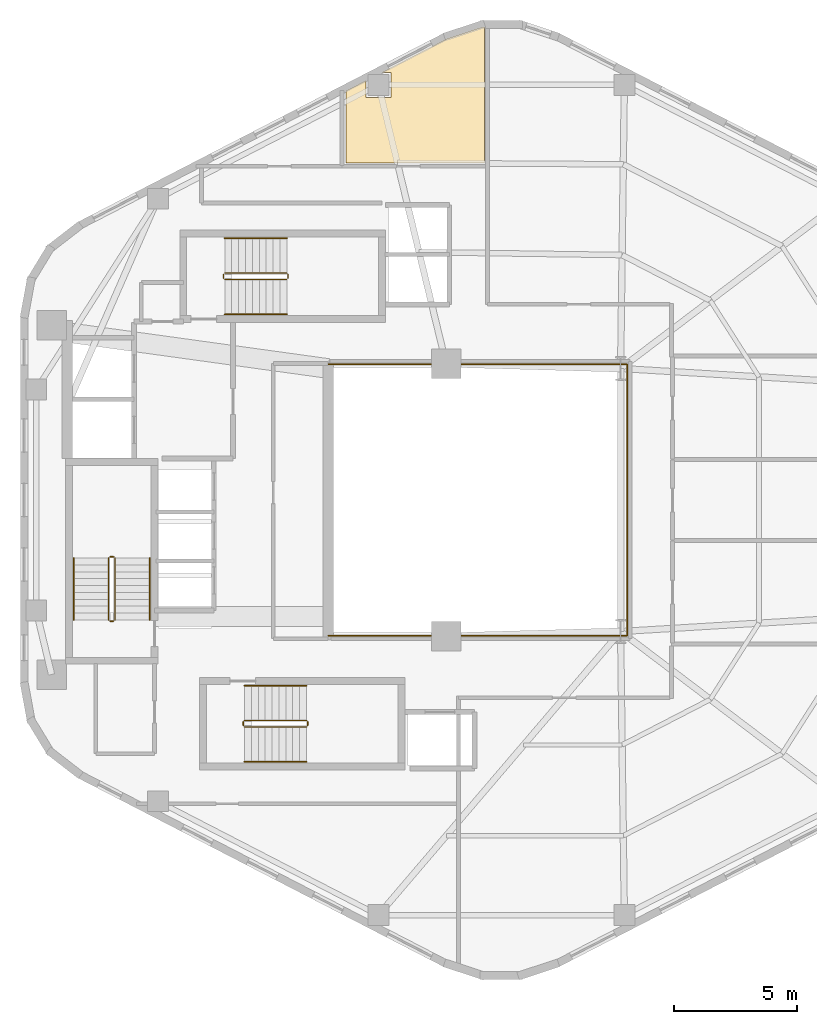
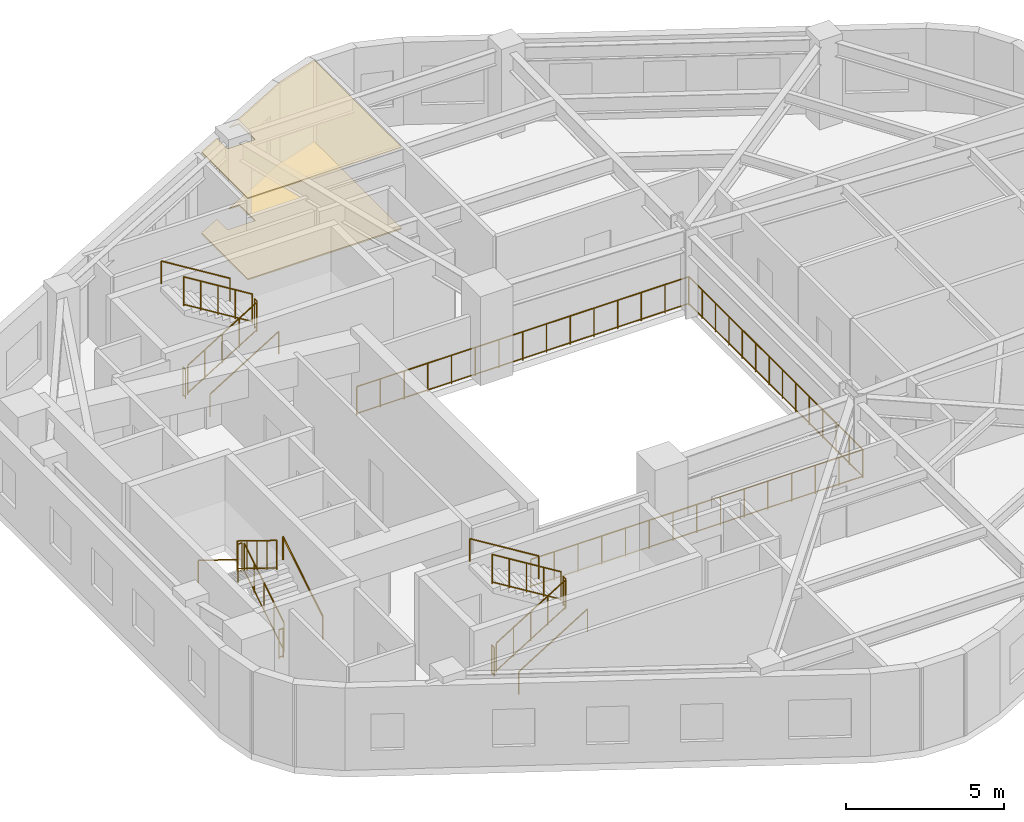
# One storey, part 6 of 6: 19 railings, 2 coverings.
"""IFC4 building model written with IfcOpenShell, lengths in metres."""

from ifc_helpers import new_model, si_unit, direction, frame, origin, origin_2d, place, context, subcontext, project, spatial, polyline, circle, outline, extrude, material, layer, layer_set, type_object, element, save


model = new_model("IFC4")

# Units and contexts
model_context = context("Model", 3, precision=1e-05, world=origin(), true_north=direction((0.0, 1.0)))
body_context = subcontext(model_context, "Body", "Model", "MODEL_VIEW")
ifc_project = project(units=[si_unit("LENGTHUNIT", "METRE"), si_unit("AREAUNIT", "SQUARE_METRE"), si_unit("VOLUMEUNIT", "CUBIC_METRE"), si_unit("PLANEANGLEUNIT", "RADIAN"), si_unit("MASSUNIT", "GRAM", prefix="KILO"), si_unit("THERMODYNAMICTEMPERATUREUNIT", "KELVIN"), si_unit("POWERUNIT", "WATT")], contexts=[model_context])

# Site, building, storey
site_placement = place(None, origin())
site = spatial("IfcSite", under=ifc_project, at=site_placement, CompositionType="ELEMENT")
building_placement = place(site_placement, origin())
building = spatial("IfcBuilding", under=site, at=building_placement, Name="Skarre Station Tower", CompositionType="ELEMENT")
storey_placement = place(building_placement, frame((0.0, 0.0, 206.800048828125)))
storey = spatial("IfcBuildingStorey", under=building, at=storey_placement, Name="L56", CompositionType="ELEMENT", Elevation=206.800048828125)

# Railing
ifc_material_1 = material(Name="Bronze Anodized Steel & Laminated Glass Balustrade", Category="steel")
railing_type_1 = type_object("IfcRailingType", Name="Atrium Void & Mezzanine Guard Balustrade 1120", PredefinedType="GUARDRAIL", material=ifc_material_1)
railing_1_placement = place(storey_placement, frame((27.550048828125, 18.47998046875, 0.0)))
element("IfcRailing", 1, at=railing_1_placement, inside=storey, type_object=railing_type_1, Name="L56 Atrium Void Guard Balustrade", PredefinedType="GUARDRAIL", context=body_context, shape_type="SweptSolid", body=[
    extrude(circle(Radius=0.02392578125, at=origin_2d()), frame((0.0, 0.0, 1.09619140625), z_axis=(1.0, 0.0, 0.0), x_axis=(0.0, 1.0, 0.0)), (0.0, 0.0, 1.0), 12.169921875),
    extrude(circle(Radius=0.02099609375, at=origin_2d()), frame((0.0, 0.0, 0.06005859375), z_axis=(1.0, 0.0, 0.0), x_axis=(0.0, 1.0, 0.0)), (0.0, 0.0, 1.0), 12.169921875),
    extrude(circle(Radius=0.02392578125, at=origin_2d()), frame((12.169921875, 0.0, 1.09619140625), z_axis=(0.0, 1.0, 0.0), x_axis=(-1.0, 0.0, 0.0)), (0.0, 0.0, 1.0), 11.0400390625),
    extrude(circle(Radius=0.02099609375, at=origin_2d()), frame((12.169921875, 0.0, 0.06005859375), z_axis=(0.0, 1.0, 0.0), x_axis=(-1.0, 0.0, 0.0)), (0.0, 0.0, 1.0), 11.0400390625),
    extrude(circle(Radius=0.02392578125, at=origin_2d()), frame((12.169921875, 11.0400390625, 1.09619140625), z_axis=(-1.0, 0.0, 0.0), x_axis=(0.0, -1.0, 0.0)), (0.0, 0.0, 1.0), 12.169921875),
    extrude(circle(Radius=0.02099609375, at=origin_2d()), frame((12.169921875, 11.0400390625, 0.06005859375), z_axis=(-1.0, 0.0, 0.0), x_axis=(0.0, -1.0, 0.0)), (0.0, 0.0, 1.0), 12.169921875),
    extrude(circle(Radius=0.02099609375, at=origin_2d()), origin(), (0.0, 0.0, 1.0), 1.072021484375),
    extrude(circle(Radius=0.02099609375, at=origin_2d()), frame((0.869384765625, 0.0, 0.0)), (0.0, 0.0, 1.0), 1.072021484375),
    extrude(circle(Radius=0.02099609375, at=origin_2d()), frame((1.738525390625, 0.0, 0.0)), (0.0, 0.0, 1.0), 1.072021484375),
    extrude(circle(Radius=0.02099609375, at=origin_2d()), frame((2.60791015625, 0.0, 0.0)), (0.0, 0.0, 1.0), 1.072021484375),
    extrude(circle(Radius=0.02099609375, at=origin_2d()), frame((3.47705078125, 0.0, 0.0)), (0.0, 0.0, 1.0), 1.072021484375),
    extrude(circle(Radius=0.02099609375, at=origin_2d()), frame((4.346435546875, 0.0, 0.0)), (0.0, 0.0, 1.0), 1.072021484375),
    extrude(circle(Radius=0.02099609375, at=origin_2d()), frame((5.215576171875, 0.0, 0.0)), (0.0, 0.0, 1.0), 1.072021484375),
    extrude(circle(Radius=0.02099609375, at=origin_2d()), frame((6.0849609375, 0.0, 0.0)), (0.0, 0.0, 1.0), 1.072021484375),
    extrude(circle(Radius=0.02099609375, at=origin_2d()), frame((6.954345703125, 0.0, 0.0)), (0.0, 0.0, 1.0), 1.072021484375),
    extrude(circle(Radius=0.02099609375, at=origin_2d()), frame((7.823486328125, 0.0, 0.0)), (0.0, 0.0, 1.0), 1.072021484375),
    extrude(circle(Radius=0.02099609375, at=origin_2d()), frame((8.69287109375, 0.0, 0.0)), (0.0, 0.0, 1.0), 1.072021484375),
    extrude(circle(Radius=0.02099609375, at=origin_2d()), frame((9.56201171875, 0.0, 0.0)), (0.0, 0.0, 1.0), 1.072021484375),
    extrude(circle(Radius=0.02099609375, at=origin_2d()), frame((10.431396484375, 0.0, 0.0)), (0.0, 0.0, 1.0), 1.072021484375),
    extrude(circle(Radius=0.02099609375, at=origin_2d()), frame((11.300537109375, 0.0, 0.0)), (0.0, 0.0, 1.0), 1.072021484375),
    extrude(circle(Radius=0.02099609375, at=origin_2d()), frame((12.169921875, 0.0, 0.0)), (0.0, 0.0, 1.0), 1.072021484375),
    extrude(circle(Radius=0.02099609375, at=origin_2d()), frame((12.169921875, 0.84912109375, 0.0)), (0.0, 0.0, 1.0), 1.072021484375),
    extrude(circle(Radius=0.02099609375, at=origin_2d()), frame((12.169921875, 1.698486328125, 0.0)), (0.0, 0.0, 1.0), 1.072021484375),
    extrude(circle(Radius=0.02099609375, at=origin_2d()), frame((12.169921875, 2.547607421875, 0.0)), (0.0, 0.0, 1.0), 1.072021484375),
    extrude(circle(Radius=0.02099609375, at=origin_2d()), frame((12.169921875, 3.39697265625, 0.0)), (0.0, 0.0, 1.0), 1.072021484375),
    extrude(circle(Radius=0.02099609375, at=origin_2d()), frame((12.169921875, 4.24609375, 0.0)), (0.0, 0.0, 1.0), 1.072021484375),
    extrude(circle(Radius=0.02099609375, at=origin_2d()), frame((12.169921875, 5.095458984375, 0.0)), (0.0, 0.0, 1.0), 1.072021484375),
    extrude(circle(Radius=0.02099609375, at=origin_2d()), frame((12.169921875, 5.944580078125, 0.0)), (0.0, 0.0, 1.0), 1.072021484375),
    extrude(circle(Radius=0.02099609375, at=origin_2d()), frame((12.169921875, 6.7939453125, 0.0)), (0.0, 0.0, 1.0), 1.072021484375),
    extrude(circle(Radius=0.02099609375, at=origin_2d()), frame((12.169921875, 7.64306640625, 0.0)), (0.0, 0.0, 1.0), 1.072021484375),
    extrude(circle(Radius=0.02099609375, at=origin_2d()), frame((12.169921875, 8.492431640625, 0.0)), (0.0, 0.0, 1.0), 1.072021484375),
    extrude(circle(Radius=0.02099609375, at=origin_2d()), frame((12.169921875, 9.341552734375, 0.0)), (0.0, 0.0, 1.0), 1.072021484375),
    extrude(circle(Radius=0.02099609375, at=origin_2d()), frame((12.169921875, 10.19091796875, 0.0)), (0.0, 0.0, 1.0), 1.072021484375),
    extrude(circle(Radius=0.02099609375, at=origin_2d()), frame((12.169921875, 11.0400390625, 0.0)), (0.0, 0.0, 1.0), 1.072021484375),
    extrude(circle(Radius=0.02099609375, at=origin_2d()), frame((11.300537109375, 11.0400390625, 0.0)), (0.0, 0.0, 1.0), 1.072021484375),
    extrude(circle(Radius=0.02099609375, at=origin_2d()), frame((10.431396484375, 11.0400390625, 0.0)), (0.0, 0.0, 1.0), 1.072021484375),
    extrude(circle(Radius=0.02099609375, at=origin_2d()), frame((9.56201171875, 11.0400390625, 0.0)), (0.0, 0.0, 1.0), 1.072021484375),
    extrude(circle(Radius=0.02099609375, at=origin_2d()), frame((8.69287109375, 11.0400390625, 0.0)), (0.0, 0.0, 1.0), 1.072021484375),
    extrude(circle(Radius=0.02099609375, at=origin_2d()), frame((7.823486328125, 11.0400390625, 0.0)), (0.0, 0.0, 1.0), 1.072021484375),
    extrude(circle(Radius=0.02099609375, at=origin_2d()), frame((6.954345703125, 11.0400390625, 0.0)), (0.0, 0.0, 1.0), 1.072021484375),
    extrude(circle(Radius=0.02099609375, at=origin_2d()), frame((6.0849609375, 11.0400390625, 0.0)), (0.0, 0.0, 1.0), 1.072021484375),
    extrude(circle(Radius=0.02099609375, at=origin_2d()), frame((5.215576171875, 11.0400390625, 0.0)), (0.0, 0.0, 1.0), 1.072021484375),
    extrude(circle(Radius=0.02099609375, at=origin_2d()), frame((4.346435546875, 11.0400390625, 0.0)), (0.0, 0.0, 1.0), 1.072021484375),
    extrude(circle(Radius=0.02099609375, at=origin_2d()), frame((3.47705078125, 11.0400390625, 0.0)), (0.0, 0.0, 1.0), 1.072021484375),
    extrude(circle(Radius=0.02099609375, at=origin_2d()), frame((2.60791015625, 11.0400390625, 0.0)), (0.0, 0.0, 1.0), 1.072021484375),
    extrude(circle(Radius=0.02099609375, at=origin_2d()), frame((1.738525390625, 11.0400390625, 0.0)), (0.0, 0.0, 1.0), 1.072021484375),
    extrude(circle(Radius=0.02099609375, at=origin_2d()), frame((0.869384765625, 11.0400390625, 0.0)), (0.0, 0.0, 1.0), 1.072021484375),
    extrude(circle(Radius=0.02099609375, at=origin_2d()), frame((0.0, 11.0400390625, 0.0)), (0.0, 0.0, 1.0), 1.072021484375),
])

# Coverings
ifc_material_2 = material(Name="Honed Jura Limestone & Calcium-Sulfate Access Tile", Category="masonry")
ifc_layer_1 = layer(ifc_material_2, 0.050048828125, Name="Honed Jura Limestone & Calcium-Sulfate Access Tile")
ifc_layer_set_1 = layer_set([ifc_layer_1], Name="Honed Jura Limestone & Calcium-Sulfate Access Tile")
covering_type_1 = type_object("IfcCoveringType", Name="Honed Limestone & Raised Access Floor Finish 50", PredefinedType="FLOORING", material=ifc_layer_set_1)
covering_1_placement = place(storey_placement, origin())
element("IfcCovering", 2, at=covering_1_placement, inside=storey, type_object=covering_type_1, Name="L56 Limestone Access Flooring 1", PredefinedType="FLOORING", context=body_context, shape_type="SweptSolid", body=[
    extrude(outline(polyline([(33.919921875, 37.699951171875), (33.919921875, 43.24609375), (33.845947265625, 43.24609375), (32.39208984375, 42.76806640625), (29.72705078125, 41.39306640625), (30.10302734375, 41.39306640625), (30.10302734375, 40.383056640625), (29.093017578125, 40.383056640625), (29.093017578125, 41.06591796875), (28.285888671875, 40.64892578125), (28.285888671875, 37.699951171875), (33.919921875, 37.699951171875)])), origin(), (0.0, 0.0, 1.0), 0.050048828125),
])
ifc_material_3 = material(Name="Perforated Nordic Birch Veneer & Mineral Wool", Category="wood")
ifc_layer_2 = layer(ifc_material_3, 0.044921875, Name="Perforated Nordic Birch Veneer & Mineral Wool")
ifc_layer_set_2 = layer_set([ifc_layer_2], Name="Perforated Nordic Birch Veneer & Mineral Wool")
covering_type_2 = type_object("IfcCoveringType", Name="Nordic Birch Slatted Acoustic Suspended Ceiling 45", PredefinedType="CEILING", material=ifc_layer_set_2)
covering_2_placement = place(storey_placement, frame((0.0, 0.0, 3.14501953125)))
element("IfcCovering", 3, at=covering_2_placement, inside=storey, type_object=covering_type_2, Name="L56 Acoustic Birch Ceiling 1", PredefinedType="CEILING", context=body_context, shape_type="SweptSolid", body=[
    extrude(outline(polyline([(33.919921875, 37.699951171875), (33.919921875, 43.24609375), (33.845947265625, 43.24609375), (32.39208984375, 42.76806640625), (29.72705078125, 41.39306640625), (30.10302734375, 41.39306640625), (30.10302734375, 40.383056640625), (29.093017578125, 40.383056640625), (29.093017578125, 41.06591796875), (28.285888671875, 40.64892578125), (28.285888671875, 37.699951171875), (33.919921875, 37.699951171875)])), origin(), (0.0, 0.0, 1.0), 0.044921875),
])

# Railings
ifc_material_4 = material(Name="Powder-Coated Tubular Steel", Category="steel")
railing_type_2 = type_object("IfcRailingType", Name="Painted Steel Ramp & Stair Handrail 920", PredefinedType="HANDRAIL", material=ifc_material_4)
railing_2_placement = place(storey_placement, frame((20.300048828125, 19.1201171875, 0.17236328125)))
element("IfcRailing", 4, at=railing_2_placement, inside=storey, type_object=railing_type_2, Name="L56 ST-1 stair handrail 1", PredefinedType="HANDRAIL", context=body_context, shape_type="SweptSolid", body=[
    extrude(circle(Radius=0.02392578125, at=origin_2d()), frame((0.0, 0.0, 0.8759765625), z_axis=(0.0, 0.851377800117, 0.52455299205), x_axis=(-1.0, 0.0, 0.0)), (0.0, 0.0, 1.0), 2.959716796875),
    extrude(circle(Radius=0.02099609375, at=origin_2d()), origin(), (0.0, 0.0, 1.0), 0.851806640625),
    extrude(circle(Radius=0.02099609375, at=origin_2d()), frame((0.0, 2.519775390625, 1.552490234375)), (0.0, 0.0, 1.0), 0.851806640625),
])
railing_3_placement = place(storey_placement, frame((17.199951171875, 21.639892578125, 1.8974609375)))
element("IfcRailing", 5, at=railing_3_placement, inside=storey, type_object=railing_type_2, Name="L56 ST-1 stair handrail 2", PredefinedType="HANDRAIL", context=body_context, shape_type="SweptSolid", body=[
    extrude(circle(Radius=0.02392578125, at=origin_2d()), frame((0.0, 0.0, 0.8759765625), z_axis=(0.0, -0.851377800117, 0.52455299205), x_axis=(1.0, 0.0, 0.0)), (0.0, 0.0, 1.0), 2.959716796875),
    extrude(circle(Radius=0.02099609375, at=origin_2d()), origin(), (0.0, 0.0, 1.0), 0.851806640625),
    extrude(circle(Radius=0.02099609375, at=origin_2d()), frame((0.0, -2.519775390625, 1.552490234375)), (0.0, 0.0, 1.0), 0.851806640625),
])
railing_4_placement = place(storey_placement, frame((24.14990234375, 13.35009765625, 0.17236328125)))
element("IfcRailing", 6, at=railing_4_placement, inside=storey, type_object=railing_type_2, Name="L56 ST-2 stair handrail 1", PredefinedType="HANDRAIL", context=body_context, shape_type="SweptSolid", body=[
    extrude(circle(Radius=0.02392578125, at=origin_2d()), frame((0.0, 0.0, 0.8759765625), z_axis=(0.851400495292, 0.0, 0.524516154772), x_axis=(0.0, 1.0, 0.0)), (0.0, 0.0, 1.0), 2.9599609375),
    extrude(circle(Radius=0.02099609375, at=origin_2d()), origin(), (0.0, 0.0, 1.0), 0.851806640625),
    extrude(circle(Radius=0.02099609375, at=origin_2d()), frame((2.52001953125, 0.0, 1.552490234375)), (0.0, 0.0, 1.0), 0.851806640625),
])
railing_5_placement = place(storey_placement, frame((26.669921875, 16.449951171875, 1.8974609375)))
element("IfcRailing", 7, at=railing_5_placement, inside=storey, type_object=railing_type_2, Name="L56 ST-2 stair handrail 2", PredefinedType="HANDRAIL", context=body_context, shape_type="SweptSolid", body=[
    extrude(circle(Radius=0.02392578125, at=origin_2d()), frame((0.0, 0.0, 0.8759765625), z_axis=(-0.851400495292, 0.0, 0.524516154772), x_axis=(0.0, -1.0, 0.0)), (0.0, 0.0, 1.0), 2.9599609375),
    extrude(circle(Radius=0.02099609375, at=origin_2d()), origin(), (0.0, 0.0, 1.0), 0.851806640625),
    extrude(circle(Radius=0.02099609375, at=origin_2d()), frame((-2.52001953125, 0.0, 1.552490234375)), (0.0, 0.0, 1.0), 0.851806640625),
])
railing_6_placement = place(storey_placement, frame((23.35009765625, 31.550048828125, 0.17236328125)))
element("IfcRailing", 8, at=railing_6_placement, inside=storey, type_object=railing_type_2, Name="L56 ST-3 stair handrail 1", PredefinedType="HANDRAIL", context=body_context, shape_type="SweptSolid", body=[
    extrude(circle(Radius=0.02392578125, at=origin_2d()), frame((0.0, 0.0, 0.8759765625), z_axis=(0.851400495292, 0.0, 0.524516154772), x_axis=(0.0, 1.0, 0.0)), (0.0, 0.0, 1.0), 2.9599609375),
    extrude(circle(Radius=0.02099609375, at=origin_2d()), origin(), (0.0, 0.0, 1.0), 0.851806640625),
    extrude(circle(Radius=0.02099609375, at=origin_2d()), frame((2.52001953125, 0.0, 1.552490234375)), (0.0, 0.0, 1.0), 0.851806640625),
])
railing_7_placement = place(storey_placement, frame((25.8701171875, 34.64990234375, 1.8974609375)))
element("IfcRailing", 9, at=railing_7_placement, inside=storey, type_object=railing_type_2, Name="L56 ST-3 stair handrail 2", PredefinedType="HANDRAIL", context=body_context, shape_type="SweptSolid", body=[
    extrude(circle(Radius=0.02392578125, at=origin_2d()), frame((0.0, 0.0, 0.8759765625), z_axis=(-0.851400495292, 0.0, 0.524516154772), x_axis=(0.0, -1.0, 0.0)), (0.0, 0.0, 1.0), 2.9599609375),
    extrude(circle(Radius=0.02099609375, at=origin_2d()), origin(), (0.0, 0.0, 1.0), 0.851806640625),
    extrude(circle(Radius=0.02099609375, at=origin_2d()), frame((-2.52001953125, 0.0, 1.552490234375)), (0.0, 0.0, 1.0), 0.851806640625),
])
railing_type_3 = type_object("IfcRailingType", Name="Painted Steel Stairwell Guardrail 1100", PredefinedType="GUARDRAIL", material=ifc_material_4)
railing_8_placement = place(storey_placement, frame((18.8798828125, 19.1201171875, 0.17236328125)))
element("IfcRailing", 10, at=railing_8_placement, inside=storey, type_object=railing_type_3, Name="L56 ST-1 stair guard 1", PredefinedType="GUARDRAIL", context=body_context, shape_type="SweptSolid", body=[
    extrude(circle(Radius=0.02392578125, at=origin_2d()), frame((0.0, 0.0, 1.1259765625), z_axis=(0.0, 0.851377800117, 0.52455299205), x_axis=(-1.0, 0.0, 0.0)), (0.0, 0.0, 1.0), 2.959716796875),
    extrude(circle(Radius=0.02099609375, at=origin_2d()), frame((0.0, 0.0, 0.06005859375), z_axis=(0.0, 0.851377800117, 0.52455299205), x_axis=(-1.0, 0.0, 0.0)), (0.0, 0.0, 1.0), 2.959716796875),
    extrude(circle(Radius=0.02099609375, at=origin_2d()), origin(), (0.0, 0.0, 1.0), 1.101806640625),
    extrude(circle(Radius=0.02099609375, at=origin_2d()), frame((0.0, 0.6298828125, 0.38818359375)), (0.0, 0.0, 1.0), 1.101806640625),
    extrude(circle(Radius=0.02099609375, at=origin_2d()), frame((0.0, 1.259765625, 0.7763671875)), (0.0, 0.0, 1.0), 1.101806640625),
    extrude(circle(Radius=0.02099609375, at=origin_2d()), frame((0.0, 1.889892578125, 1.164306640625)), (0.0, 0.0, 1.0), 1.101806640625),
    extrude(circle(Radius=0.02099609375, at=origin_2d()), frame((0.0, 2.519775390625, 1.552490234375)), (0.0, 0.0, 1.0), 1.101806640625),
])
railing_9_placement = place(storey_placement, frame((18.830078125, 21.68994140625, 1.724853515625)))
element("IfcRailing", 11, at=railing_9_placement, inside=storey, type_object=railing_type_3, Name="L56 ST-1 stair guard 2", PredefinedType="GUARDRAIL", context=body_context, shape_type="SweptSolid", body=[
    extrude(circle(Radius=0.02392578125, at=origin_2d()), frame((0.0, 0.0, 1.1259765625), z_axis=(-1.0, 0.0, 0.0), x_axis=(0.0, -1.0, 0.0)), (0.0, 0.0, 1.0), 0.16015625),
    extrude(circle(Radius=0.02099609375, at=origin_2d()), frame((0.0, 0.0, 0.06005859375), z_axis=(-1.0, 0.0, 0.0), x_axis=(0.0, -1.0, 0.0)), (0.0, 0.0, 1.0), 0.16015625),
    extrude(circle(Radius=0.02099609375, at=origin_2d()), origin(), (0.0, 0.0, 1.0), 1.101806640625),
    extrude(circle(Radius=0.02099609375, at=origin_2d()), frame((-0.16015625, 0.0, 0.0)), (0.0, 0.0, 1.0), 1.101806640625),
])
railing_10_placement = place(storey_placement, frame((18.6201171875, 21.639892578125, 1.8974609375)))
element("IfcRailing", 12, at=railing_10_placement, inside=storey, type_object=railing_type_3, Name="L56 ST-1 stair guard 3", PredefinedType="GUARDRAIL", context=body_context, shape_type="SweptSolid", body=[
    extrude(circle(Radius=0.02392578125, at=origin_2d()), frame((0.0, 0.0, 1.1259765625), z_axis=(0.0, -0.851377800117, 0.52455299205), x_axis=(1.0, 0.0, 0.0)), (0.0, 0.0, 1.0), 2.959716796875),
    extrude(circle(Radius=0.02099609375, at=origin_2d()), frame((0.0, 0.0, 0.06005859375), z_axis=(0.0, -0.851377800117, 0.52455299205), x_axis=(1.0, 0.0, 0.0)), (0.0, 0.0, 1.0), 2.959716796875),
    extrude(circle(Radius=0.02099609375, at=origin_2d()), origin(), (0.0, 0.0, 1.0), 1.101806640625),
    extrude(circle(Radius=0.02099609375, at=origin_2d()), frame((0.0, -0.6298828125, 0.38818359375)), (0.0, 0.0, 1.0), 1.101806640625),
    extrude(circle(Radius=0.02099609375, at=origin_2d()), frame((0.0, -1.259765625, 0.7763671875)), (0.0, 0.0, 1.0), 1.101806640625),
    extrude(circle(Radius=0.02099609375, at=origin_2d()), frame((0.0, -1.889892578125, 1.164306640625)), (0.0, 0.0, 1.0), 1.101806640625),
    extrude(circle(Radius=0.02099609375, at=origin_2d()), frame((0.0, -2.519775390625, 1.552490234375)), (0.0, 0.0, 1.0), 1.101806640625),
])
railing_11_placement = place(storey_placement, frame((18.830078125, 19.070068359375, 0.0)))
element("IfcRailing", 13, at=railing_11_placement, inside=storey, type_object=railing_type_3, Name="L56 ST-1 stair guard 4", PredefinedType="GUARDRAIL", context=body_context, shape_type="SweptSolid", body=[
    extrude(circle(Radius=0.02392578125, at=origin_2d()), frame((0.0, 0.0, 1.1259765625), z_axis=(-1.0, 0.0, 0.0), x_axis=(0.0, -1.0, 0.0)), (0.0, 0.0, 1.0), 0.16015625),
    extrude(circle(Radius=0.02099609375, at=origin_2d()), frame((0.0, 0.0, 0.06005859375), z_axis=(-1.0, 0.0, 0.0), x_axis=(0.0, -1.0, 0.0)), (0.0, 0.0, 1.0), 0.16015625),
    extrude(circle(Radius=0.02099609375, at=origin_2d()), origin(), (0.0, 0.0, 1.0), 1.101806640625),
    extrude(circle(Radius=0.02099609375, at=origin_2d()), frame((-0.16015625, 0.0, 0.0)), (0.0, 0.0, 1.0), 1.101806640625),
])
railing_12_placement = place(storey_placement, frame((24.14990234375, 14.77001953125, 0.17236328125)))
element("IfcRailing", 14, at=railing_12_placement, inside=storey, type_object=railing_type_3, Name="L56 ST-2 stair guard 1", PredefinedType="GUARDRAIL", context=body_context, shape_type="SweptSolid", body=[
    extrude(circle(Radius=0.02392578125, at=origin_2d()), frame((0.0, 0.0, 1.1259765625), z_axis=(0.851400495292, 0.0, 0.524516154772), x_axis=(0.0, 1.0, 0.0)), (0.0, 0.0, 1.0), 2.9599609375),
    extrude(circle(Radius=0.02099609375, at=origin_2d()), frame((0.0, 0.0, 0.06005859375), z_axis=(0.851400495292, 0.0, 0.524516154772), x_axis=(0.0, 1.0, 0.0)), (0.0, 0.0, 1.0), 2.9599609375),
    extrude(circle(Radius=0.02099609375, at=origin_2d()), origin(), (0.0, 0.0, 1.0), 1.101806640625),
    extrude(circle(Radius=0.02099609375, at=origin_2d()), frame((0.6298828125, 0.0, 0.38818359375)), (0.0, 0.0, 1.0), 1.101806640625),
    extrude(circle(Radius=0.02099609375, at=origin_2d()), frame((1.260009765625, 0.0, 0.7763671875)), (0.0, 0.0, 1.0), 1.101806640625),
    extrude(circle(Radius=0.02099609375, at=origin_2d()), frame((1.89013671875, 0.0, 1.164306640625)), (0.0, 0.0, 1.0), 1.101806640625),
    extrude(circle(Radius=0.02099609375, at=origin_2d()), frame((2.52001953125, 0.0, 1.552490234375)), (0.0, 0.0, 1.0), 1.101806640625),
])
railing_13_placement = place(storey_placement, frame((26.719970703125, 14.820068359375, 1.724853515625)))
element("IfcRailing", 15, at=railing_13_placement, inside=storey, type_object=railing_type_3, Name="L56 ST-2 stair guard 2", PredefinedType="GUARDRAIL", context=body_context, shape_type="SweptSolid", body=[
    extrude(circle(Radius=0.02392578125, at=origin_2d()), frame((0.0, 0.0, 1.1259765625), z_axis=(0.0, 1.0, 0.0), x_axis=(-1.0, 0.0, 0.0)), (0.0, 0.0, 1.0), 0.159912109375),
    extrude(circle(Radius=0.02099609375, at=origin_2d()), frame((0.0, 0.0, 0.06005859375), z_axis=(0.0, 1.0, 0.0), x_axis=(-1.0, 0.0, 0.0)), (0.0, 0.0, 1.0), 0.159912109375),
    extrude(circle(Radius=0.02099609375, at=origin_2d()), origin(), (0.0, 0.0, 1.0), 1.101806640625),
    extrude(circle(Radius=0.02099609375, at=origin_2d()), frame((0.0, 0.159912109375, 0.0)), (0.0, 0.0, 1.0), 1.101806640625),
])
railing_14_placement = place(storey_placement, frame((26.669921875, 15.030029296875, 1.8974609375)))
element("IfcRailing", 16, at=railing_14_placement, inside=storey, type_object=railing_type_3, Name="L56 ST-2 stair guard 3", PredefinedType="GUARDRAIL", context=body_context, shape_type="SweptSolid", body=[
    extrude(circle(Radius=0.02392578125, at=origin_2d()), frame((0.0, 0.0, 1.1259765625), z_axis=(-0.851400495292, 0.0, 0.524516154772), x_axis=(0.0, -1.0, 0.0)), (0.0, 0.0, 1.0), 2.9599609375),
    extrude(circle(Radius=0.02099609375, at=origin_2d()), frame((0.0, 0.0, 0.06005859375), z_axis=(-0.851400495292, 0.0, 0.524516154772), x_axis=(0.0, -1.0, 0.0)), (0.0, 0.0, 1.0), 2.9599609375),
    extrude(circle(Radius=0.02099609375, at=origin_2d()), origin(), (0.0, 0.0, 1.0), 1.101806640625),
    extrude(circle(Radius=0.02099609375, at=origin_2d()), frame((-0.6298828125, 0.0, 0.38818359375)), (0.0, 0.0, 1.0), 1.101806640625),
    extrude(circle(Radius=0.02099609375, at=origin_2d()), frame((-1.260009765625, 0.0, 0.7763671875)), (0.0, 0.0, 1.0), 1.101806640625),
    extrude(circle(Radius=0.02099609375, at=origin_2d()), frame((-1.89013671875, 0.0, 1.164306640625)), (0.0, 0.0, 1.0), 1.101806640625),
    extrude(circle(Radius=0.02099609375, at=origin_2d()), frame((-2.52001953125, 0.0, 1.552490234375)), (0.0, 0.0, 1.0), 1.101806640625),
])
railing_15_placement = place(storey_placement, frame((24.10009765625, 14.820068359375, 0.0)))
element("IfcRailing", 17, at=railing_15_placement, inside=storey, type_object=railing_type_3, Name="L56 ST-2 stair guard 4", PredefinedType="GUARDRAIL", context=body_context, shape_type="SweptSolid", body=[
    extrude(circle(Radius=0.02392578125, at=origin_2d()), frame((0.0, 0.0, 1.1259765625), z_axis=(0.0, 1.0, 0.0), x_axis=(-1.0, 0.0, 0.0)), (0.0, 0.0, 1.0), 0.159912109375),
    extrude(circle(Radius=0.02099609375, at=origin_2d()), frame((0.0, 0.0, 0.06005859375), z_axis=(0.0, 1.0, 0.0), x_axis=(-1.0, 0.0, 0.0)), (0.0, 0.0, 1.0), 0.159912109375),
    extrude(circle(Radius=0.02099609375, at=origin_2d()), origin(), (0.0, 0.0, 1.0), 1.101806640625),
    extrude(circle(Radius=0.02099609375, at=origin_2d()), frame((0.0, 0.159912109375, 0.0)), (0.0, 0.0, 1.0), 1.101806640625),
])
railing_16_placement = place(storey_placement, frame((23.35009765625, 32.969970703125, 0.17236328125)))
element("IfcRailing", 18, at=railing_16_placement, inside=storey, type_object=railing_type_3, Name="L56 ST-3 stair guard 1", PredefinedType="GUARDRAIL", context=body_context, shape_type="SweptSolid", body=[
    extrude(circle(Radius=0.02392578125, at=origin_2d()), frame((0.0, 0.0, 1.1259765625), z_axis=(0.851400495292, 0.0, 0.524516154772), x_axis=(0.0, 1.0, 0.0)), (0.0, 0.0, 1.0), 2.9599609375),
    extrude(circle(Radius=0.02099609375, at=origin_2d()), frame((0.0, 0.0, 0.06005859375), z_axis=(0.851400495292, 0.0, 0.524516154772), x_axis=(0.0, 1.0, 0.0)), (0.0, 0.0, 1.0), 2.9599609375),
    extrude(circle(Radius=0.02099609375, at=origin_2d()), origin(), (0.0, 0.0, 1.0), 1.101806640625),
    extrude(circle(Radius=0.02099609375, at=origin_2d()), frame((0.6298828125, 0.0, 0.38818359375)), (0.0, 0.0, 1.0), 1.101806640625),
    extrude(circle(Radius=0.02099609375, at=origin_2d()), frame((1.260009765625, 0.0, 0.7763671875)), (0.0, 0.0, 1.0), 1.101806640625),
    extrude(circle(Radius=0.02099609375, at=origin_2d()), frame((1.89013671875, 0.0, 1.164306640625)), (0.0, 0.0, 1.0), 1.101806640625),
    extrude(circle(Radius=0.02099609375, at=origin_2d()), frame((2.52001953125, 0.0, 1.552490234375)), (0.0, 0.0, 1.0), 1.101806640625),
])
railing_17_placement = place(storey_placement, frame((25.919921875, 33.02001953125, 1.724853515625)))
element("IfcRailing", 19, at=railing_17_placement, inside=storey, type_object=railing_type_3, Name="L56 ST-3 stair guard 2", PredefinedType="GUARDRAIL", context=body_context, shape_type="SweptSolid", body=[
    extrude(circle(Radius=0.02392578125, at=origin_2d()), frame((0.0, 0.0, 1.1259765625), z_axis=(0.0, 1.0, 0.0), x_axis=(-1.0, 0.0, 0.0)), (0.0, 0.0, 1.0), 0.159912109375),
    extrude(circle(Radius=0.02099609375, at=origin_2d()), frame((0.0, 0.0, 0.06005859375), z_axis=(0.0, 1.0, 0.0), x_axis=(-1.0, 0.0, 0.0)), (0.0, 0.0, 1.0), 0.159912109375),
    extrude(circle(Radius=0.02099609375, at=origin_2d()), origin(), (0.0, 0.0, 1.0), 1.101806640625),
    extrude(circle(Radius=0.02099609375, at=origin_2d()), frame((0.0, 0.159912109375, 0.0)), (0.0, 0.0, 1.0), 1.101806640625),
])
railing_18_placement = place(storey_placement, frame((25.8701171875, 33.22998046875, 1.8974609375)))
element("IfcRailing", 20, at=railing_18_placement, inside=storey, type_object=railing_type_3, Name="L56 ST-3 stair guard 3", PredefinedType="GUARDRAIL", context=body_context, shape_type="SweptSolid", body=[
    extrude(circle(Radius=0.02392578125, at=origin_2d()), frame((0.0, 0.0, 1.1259765625), z_axis=(-0.851400495292, 0.0, 0.524516154772), x_axis=(0.0, -1.0, 0.0)), (0.0, 0.0, 1.0), 2.9599609375),
    extrude(circle(Radius=0.02099609375, at=origin_2d()), frame((0.0, 0.0, 0.06005859375), z_axis=(-0.851400495292, 0.0, 0.524516154772), x_axis=(0.0, -1.0, 0.0)), (0.0, 0.0, 1.0), 2.9599609375),
    extrude(circle(Radius=0.02099609375, at=origin_2d()), origin(), (0.0, 0.0, 1.0), 1.101806640625),
    extrude(circle(Radius=0.02099609375, at=origin_2d()), frame((-0.6298828125, 0.0, 0.38818359375)), (0.0, 0.0, 1.0), 1.101806640625),
    extrude(circle(Radius=0.02099609375, at=origin_2d()), frame((-1.260009765625, 0.0, 0.7763671875)), (0.0, 0.0, 1.0), 1.101806640625),
    extrude(circle(Radius=0.02099609375, at=origin_2d()), frame((-1.89013671875, 0.0, 1.164306640625)), (0.0, 0.0, 1.0), 1.101806640625),
    extrude(circle(Radius=0.02099609375, at=origin_2d()), frame((-2.52001953125, 0.0, 1.552490234375)), (0.0, 0.0, 1.0), 1.101806640625),
])
railing_19_placement = place(storey_placement, frame((23.300048828125, 33.02001953125, 0.0)))
element("IfcRailing", 21, at=railing_19_placement, inside=storey, type_object=railing_type_3, Name="L56 ST-3 stair guard 4", PredefinedType="GUARDRAIL", context=body_context, shape_type="SweptSolid", body=[
    extrude(circle(Radius=0.02392578125, at=origin_2d()), frame((0.0, 0.0, 1.1259765625), z_axis=(0.0, 1.0, 0.0), x_axis=(-1.0, 0.0, 0.0)), (0.0, 0.0, 1.0), 0.159912109375),
    extrude(circle(Radius=0.02099609375, at=origin_2d()), frame((0.0, 0.0, 0.06005859375), z_axis=(0.0, 1.0, 0.0), x_axis=(-1.0, 0.0, 0.0)), (0.0, 0.0, 1.0), 0.159912109375),
    extrude(circle(Radius=0.02099609375, at=origin_2d()), origin(), (0.0, 0.0, 1.0), 1.101806640625),
    extrude(circle(Radius=0.02099609375, at=origin_2d()), frame((0.0, 0.159912109375, 0.0)), (0.0, 0.0, 1.0), 1.101806640625),
])

save(model, "model.ifc")
